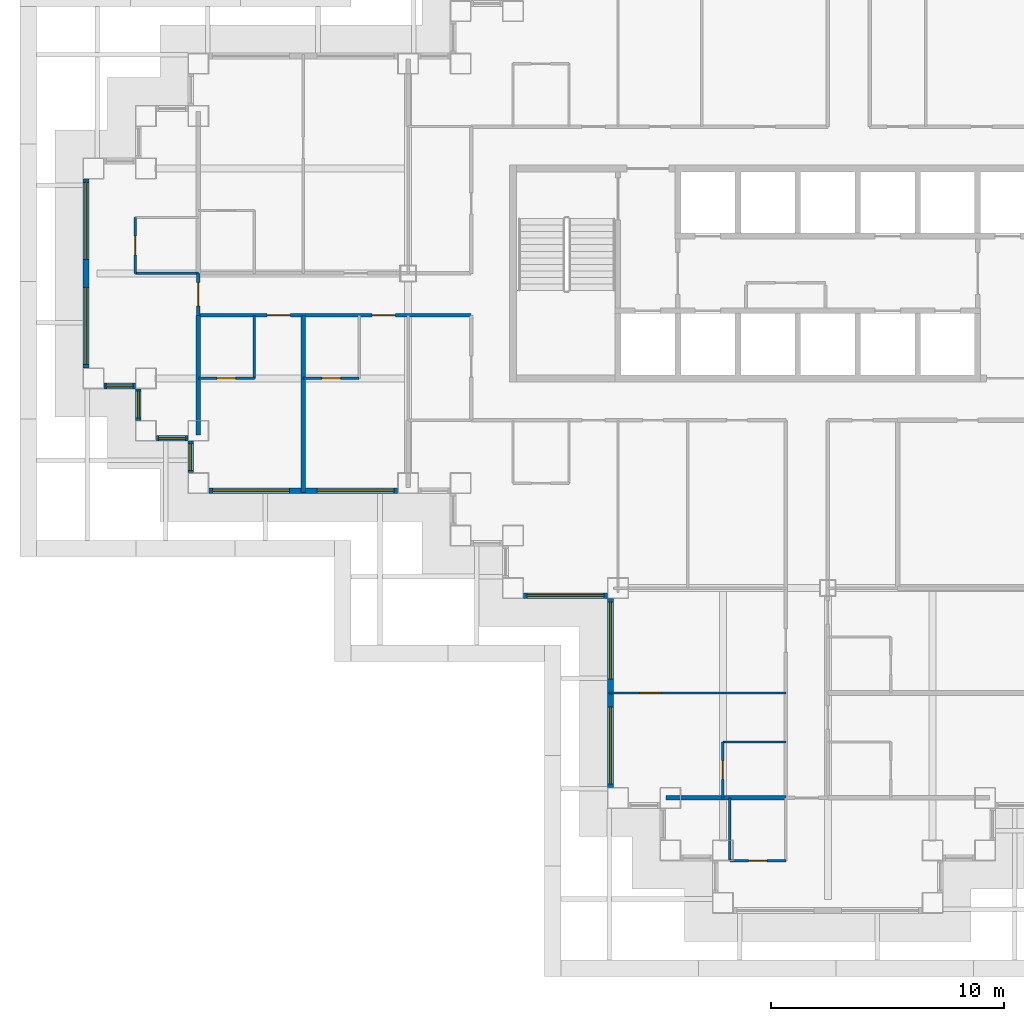
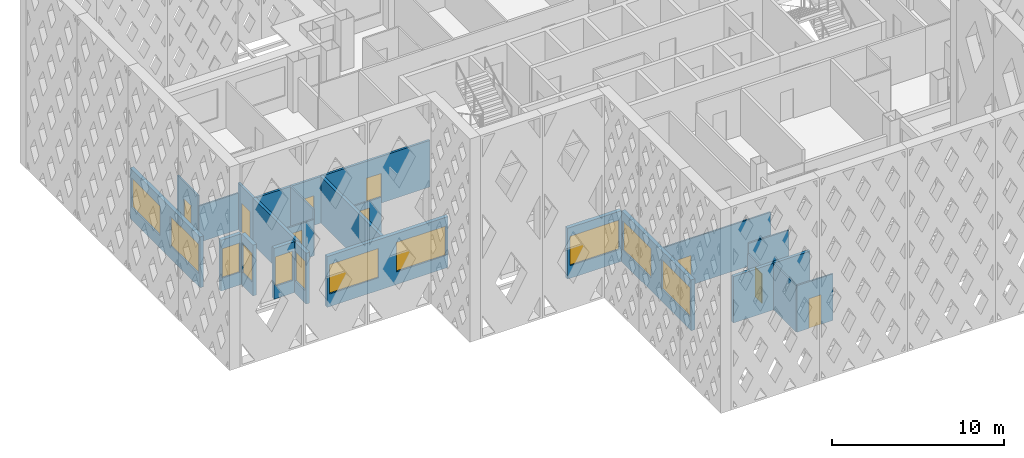
# One storey, part 2 of 21: 23 walls, 11 windows, 9 doors, 20 openings.
"""IFC4 building model written with IfcOpenShell, lengths in metres."""

from ifc_helpers import new_model, si_unit, direction, frame, frame_2d, origin, place, context, subcontext, project, spatial, rectangle, extrude, material, layer, layer_set, type_object, element, fill, save


model = new_model("IFC4")

# Units and contexts
model_context = context("Model", 3, precision=1e-05, world=origin(), true_north=direction((0.0, 1.0)))
body_context = subcontext(model_context, "Body", "Model", "MODEL_VIEW")
ifc_project = project(units=[si_unit("LENGTHUNIT", "METRE"), si_unit("AREAUNIT", "SQUARE_METRE"), si_unit("VOLUMEUNIT", "CUBIC_METRE"), si_unit("PLANEANGLEUNIT", "RADIAN"), si_unit("MASSUNIT", "GRAM", prefix="KILO")], contexts=[model_context])

# Site, building, storey
site_placement = place(None, origin())
site = spatial("IfcSite", under=ifc_project, at=site_placement, CompositionType="ELEMENT")
building_placement = place(site_placement, origin())
building = spatial("IfcBuilding", under=site, at=building_placement, Name="Caravel Reach Hotel and Residences", CompositionType="ELEMENT")
storey_placement = place(building_placement, frame((0.0, 0.0, 100.800048828125)))
storey = spatial("IfcBuildingStorey", under=building, at=storey_placement, Name="L24", CompositionType="ELEMENT", Elevation=100.800048828125)

# Wall, opening, door
ifc_material_1 = material(Name="Gypsum board on steel stud", Category="steel")
ifc_layer_1 = layer(ifc_material_1, 0.10009765625)
ifc_layer_set_1 = layer_set([ifc_layer_1], Name="Bathroom pod wall 100 mm")
wall_type_1 = type_object("IfcWallType", Name="Bathroom pod wall 100 mm", PredefinedType="PARTITIONING", material=ifc_layer_set_1)
wall_1_placement = place(storey_placement, frame((27.300048828125, 1.800048828125, 0.0), z_axis=(0.0, 0.0, 1.0), x_axis=(1.0, 0.0, 0.0)))
wall_1 = element("IfcWall", 1, at=wall_1_placement, inside=storey, type_object=wall_type_1, Name="L24 wall w081", PredefinedType="PARTITIONING", context=body_context, shape_type="SweptSolid", body=[
    extrude(rectangle(XDim=2.39990234375, YDim=0.10009765625, at=frame_2d((1.199951171875, 0.0))), origin(), (0.0, 0.0, 1.0), 3.300048828125),
])
opening_1_placement = place(wall_1_placement, frame((0.800048828125, 0.0, 0.0)))
opening_1 = element("IfcOpeningElement", 2, at=opening_1_placement, cuts=wall_1, Name="Opening D24-044", PredefinedType="OPENING", context=body_context, shape_type="SweptSolid", body=[
    extrude(rectangle(XDim=0.800048828125, YDim=2.10009765625, at=frame_2d((0.39990234375, 1.050048828125))), frame((0.0, 0.06005859375, 0.0), z_axis=(0.0, -1.0, 0.0), x_axis=(1.0, 0.0, 0.0)), (0.0, 0.0, 1.0), 0.1201171875),
])
ifc_material_2 = material(Name="Timber and steel door leaf", Category="steel")
door_type_1 = type_object("IfcDoorType", Name="Bathroom door 800 x 2100", OperationType="SINGLE_SWING_LEFT", PredefinedType="DOOR", material=ifc_material_2)
door_1_placement = place(opening_1_placement, origin())
door_1 = element("IfcDoor", 3, at=door_1_placement, inside=storey, type_object=door_type_1, Name="door D24-044", OperationType="SINGLE_SWING_RIGHT", OverallHeight=2.10009765625, OverallWidth=0.800048828125, PredefinedType="DOOR", context=body_context, shape_type="SweptSolid", body=[
    extrude(rectangle(XDim=0.800048828125, YDim=2.10009765625, at=frame_2d((0.39990234375, 1.050048828125))), frame((0.0, 0.02490234375, 0.0), z_axis=(0.0, -1.0, 0.0), x_axis=(1.0, 0.0, 0.0)), (0.0, 0.0, 1.0), 0.050048828125),
])
fill(opening_1, door_1)

wall_2_placement = place(storey_placement, frame((9.0, 22.5, 0.0), z_axis=(0.0, 0.0, 1.0), x_axis=(1.0, 0.0, 0.0)))
wall_2 = element("IfcWall", 4, at=wall_2_placement, inside=storey, type_object=wall_type_1, Name="L24 wall w085", PredefinedType="PARTITIONING", context=body_context, shape_type="SweptSolid", body=[
    extrude(rectangle(XDim=2.39990234375, YDim=0.10009765625, at=frame_2d((1.199951171875, 0.0))), origin(), (0.0, 0.0, 1.0), 2.579833984375),
])
opening_2_placement = place(wall_2_placement, frame((0.800048828125, 0.0, 0.0)))
opening_2 = element("IfcOpeningElement", 5, at=opening_2_placement, cuts=wall_2, Name="Opening D24-016", PredefinedType="OPENING", context=body_context, shape_type="SweptSolid", body=[
    extrude(rectangle(XDim=0.800048828125, YDim=2.10009765625, at=frame_2d((0.39990234375, 1.050048828125))), frame((0.0, 0.06005859375, 0.0), z_axis=(0.0, -1.0, 0.0), x_axis=(1.0, 0.0, 0.0)), (0.0, 0.0, 1.0), 0.1201171875),
])
door_2_placement = place(opening_2_placement, origin())
door_2 = element("IfcDoor", 6, at=door_2_placement, inside=storey, type_object=door_type_1, Name="door D24-016", OperationType="SINGLE_SWING_LEFT", OverallHeight=2.10009765625, OverallWidth=0.800048828125, PredefinedType="DOOR", context=body_context, shape_type="SweptSolid", body=[
    extrude(rectangle(XDim=0.800048828125, YDim=2.10009765625, at=frame_2d((0.39990234375, 1.050048828125))), frame((0.0, 0.02490234375, 0.0), z_axis=(0.0, -1.0, 0.0), x_axis=(1.0, 0.0, 0.0)), (0.0, 0.0, 1.0), 0.050048828125),
])
fill(opening_2, door_2)

wall_3_placement = place(storey_placement, frame((4.5, 22.5, 0.0), z_axis=(0.0, 0.0, 1.0), x_axis=(1.0, 0.0, 0.0)))
wall_3 = element("IfcWall", 7, at=wall_3_placement, inside=storey, type_object=wall_type_1, Name="L24 wall w086", PredefinedType="PARTITIONING", context=body_context, shape_type="SweptSolid", body=[
    extrude(rectangle(XDim=2.39990234375, YDim=0.10009765625, at=frame_2d((1.199951171875, 0.0))), origin(), (0.0, 0.0, 1.0), 2.579833984375),
])
opening_3_placement = place(wall_3_placement, frame((0.800048828125, 0.0, 0.0)))
opening_3 = element("IfcOpeningElement", 8, at=opening_3_placement, cuts=wall_3, Name="Opening D24-018", PredefinedType="OPENING", context=body_context, shape_type="SweptSolid", body=[
    extrude(rectangle(XDim=0.800048828125, YDim=2.10009765625, at=frame_2d((0.39990234375, 1.050048828125))), frame((0.0, 0.06005859375, 0.0), z_axis=(0.0, -1.0, 0.0), x_axis=(1.0, 0.0, 0.0)), (0.0, 0.0, 1.0), 0.1201171875),
])
door_3_placement = place(opening_3_placement, origin())
door_3 = element("IfcDoor", 9, at=door_3_placement, inside=storey, type_object=door_type_1, Name="door D24-018", OperationType="SINGLE_SWING_RIGHT", OverallHeight=2.10009765625, OverallWidth=0.800048828125, PredefinedType="DOOR", context=body_context, shape_type="SweptSolid", body=[
    extrude(rectangle(XDim=0.800048828125, YDim=2.10009765625, at=frame_2d((0.39990234375, 1.050048828125))), frame((0.0, 0.02490234375, 0.0), z_axis=(0.0, -1.0, 0.0), x_axis=(1.0, 0.0, 0.0)), (0.0, 0.0, 1.0), 0.050048828125),
])
fill(opening_3, door_3)

# Walls
wall_4_placement = place(storey_placement, frame((1.800048828125, 27.0, 0.0), z_axis=(0.0, 0.0, 1.0), x_axis=(1.0, 0.0, 0.0)))
element("IfcWall", 10, at=wall_4_placement, inside=storey, type_object=wall_type_1, Name="L24 wall w088", PredefinedType="PARTITIONING", context=body_context, shape_type="SweptSolid", body=[
    extrude(rectangle(XDim=2.699951171875, YDim=0.10009765625, at=frame_2d((1.35009765625, 0.0))), origin(), (0.0, 0.0, 1.0), 2.579833984375),
])
wall_5_placement = place(storey_placement, frame((27.0, 6.89990234375, 0.0), z_axis=(0.0, 0.0, 1.0), x_axis=(1.0, 0.0, 0.0)))
element("IfcWall", 11, at=wall_5_placement, inside=storey, type_object=wall_type_1, Name="L24 wall w097", PredefinedType="PARTITIONING", context=body_context, shape_type="SweptSolid", body=[
    extrude(rectangle(XDim=2.699951171875, YDim=0.10009765625, at=frame_2d((1.35009765625, 0.0))), origin(), (0.0, 0.0, 1.0), 3.300048828125),
])

# Wall, opening, door
wall_6_placement = place(storey_placement, frame((1.800048828125, 27.0, 0.0), z_axis=(0.0, 0.0, 1.0), x_axis=(0.0, 1.0, 0.0)))
wall_6 = element("IfcWall", 12, at=wall_6_placement, inside=storey, type_object=wall_type_1, Name="L24 wall w098", PredefinedType="PARTITIONING", context=body_context, shape_type="SweptSolid", body=[
    extrude(rectangle(XDim=2.39990234375, YDim=0.10009765625, at=frame_2d((1.199951171875, 0.0))), origin(), (0.0, 0.0, 1.0), 3.300048828125),
])
opening_4_placement = place(wall_6_placement, frame((0.800048828125, 0.0, 0.0)))
opening_4 = element("IfcOpeningElement", 13, at=opening_4_placement, cuts=wall_6, Name="Opening D24-040", PredefinedType="OPENING", context=body_context, shape_type="SweptSolid", body=[
    extrude(rectangle(XDim=0.800048828125, YDim=2.10009765625, at=frame_2d((0.39990234375, 1.050048828125))), frame((0.0, 0.06005859375, 0.0), z_axis=(0.0, -1.0, 0.0), x_axis=(1.0, 0.0, 0.0)), (0.0, 0.0, 1.0), 0.1201171875),
])
door_4_placement = place(opening_4_placement, origin())
door_4 = element("IfcDoor", 14, at=door_4_placement, inside=storey, type_object=door_type_1, Name="door D24-040", OperationType="SINGLE_SWING_RIGHT", OverallHeight=2.10009765625, OverallWidth=0.800048828125, PredefinedType="DOOR", context=body_context, shape_type="SweptSolid", body=[
    extrude(rectangle(XDim=0.800048828125, YDim=2.10009765625, at=frame_2d((0.39990234375, 1.050048828125))), frame((0.0, 0.02490234375, 0.0), z_axis=(0.0, -1.0, 0.0), x_axis=(1.0, 0.0, 0.0)), (0.0, 0.0, 1.0), 0.050048828125),
])
fill(opening_4, door_4)

wall_7_placement = place(storey_placement, frame((27.0, 4.5, 0.0), z_axis=(0.0, 0.0, 1.0), x_axis=(0.0, 1.0, 0.0)))
wall_7 = element("IfcWall", 15, at=wall_7_placement, inside=storey, type_object=wall_type_1, Name="L24 wall w104", PredefinedType="PARTITIONING", context=body_context, shape_type="SweptSolid", body=[
    extrude(rectangle(XDim=2.39990234375, YDim=0.10009765625, at=frame_2d((1.199951171875, 0.0))), origin(), (0.0, 0.0, 1.0), 2.579833984375),
])
opening_5_placement = place(wall_7_placement, frame((0.800048828125, 0.0, 0.0)))
opening_5 = element("IfcOpeningElement", 16, at=opening_5_placement, cuts=wall_7, Name="Opening D24-034", PredefinedType="OPENING", context=body_context, shape_type="SweptSolid", body=[
    extrude(rectangle(XDim=0.800048828125, YDim=2.10009765625, at=frame_2d((0.39990234375, 1.050048828125))), frame((0.0, 0.06005859375, 0.0), z_axis=(0.0, -1.0, 0.0), x_axis=(1.0, 0.0, 0.0)), (0.0, 0.0, 1.0), 0.1201171875),
])
door_5_placement = place(opening_5_placement, origin())
door_5 = element("IfcDoor", 17, at=door_5_placement, inside=storey, type_object=door_type_1, Name="door D24-034", OperationType="SINGLE_SWING_LEFT", OverallHeight=2.10009765625, OverallWidth=0.800048828125, PredefinedType="DOOR", context=body_context, shape_type="SweptSolid", body=[
    extrude(rectangle(XDim=0.800048828125, YDim=2.10009765625, at=frame_2d((0.39990234375, 1.050048828125))), frame((0.0, 0.02490234375, 0.0), z_axis=(0.0, -1.0, 0.0), x_axis=(1.0, 0.0, 0.0)), (0.0, 0.0, 1.0), 0.050048828125),
])
fill(opening_5, door_5)

# Walls
for number, where, z_axis, x_axis, name in (
    (18, (27.300048828125, 1.800048828125, 0.0), (0.0, 0.0, 1.0), (0.0, 1.0, 0.0), "L24 wall w105"),
    (19, (6.89990234375, 22.5, 0.0), (0.0, 0.0, 1.0), (0.0, 1.0, 0.0), "L24 wall w115"),
):
    element("IfcWall", number, at=place(storey_placement, frame(where, z_axis=z_axis, x_axis=x_axis)), inside=storey, type_object=wall_type_1, Name=name, PredefinedType="PARTITIONING", context=body_context, shape_type="SweptSolid", body=[
        extrude(rectangle(XDim=2.699951171875, YDim=0.10009765625, at=frame_2d((1.35009765625, 0.0))), origin(), (0.0, 0.0, 1.0), 3.300048828125),
    ])

# Wall, openings, doors
ifc_material_3 = material(Name="Gypsum board on steel stud, fire-rated", Category="steel")
ifc_layer_2 = layer(ifc_material_3, 0.14990234375)
ifc_layer_set_2 = layer_set([ifc_layer_2], Name="Corridor wall 150 mm EI 60")
wall_type_2 = type_object("IfcWallType", Name="Corridor wall 150 mm EI 60", PredefinedType="PARTITIONING", material=ifc_layer_set_2)
wall_8_placement = place(storey_placement, frame((4.5, 25.199951171875, 0.0), z_axis=(0.0, 0.0, 1.0), x_axis=(1.0, 0.0, 0.0)))
wall_8 = element("IfcWall", 20, at=wall_8_placement, inside=storey, type_object=wall_type_2, Name="L24 wall w007", PredefinedType="PARTITIONING", context=body_context, shape_type="SweptSolid", body=[
    extrude(rectangle(XDim=11.699951171875, YDim=0.14990234375, at=frame_2d((5.85009765625, 0.0))), origin(), (0.0, 0.0, 1.0), 3.300048828125),
])
opening_6_placement = place(wall_8_placement, frame((7.449951171875, 0.0, 0.0)))
opening_6 = element("IfcOpeningElement", 21, at=opening_6_placement, cuts=wall_8, Name="Opening D24-015", PredefinedType="OPENING", context=body_context, shape_type="SweptSolid", body=[
    extrude(rectangle(XDim=1.0, YDim=2.10009765625, at=frame_2d((0.5, 1.050048828125))), frame((0.0, 0.0849609375, 0.0), z_axis=(0.0, -1.0, 0.0), x_axis=(1.0, 0.0, 0.0)), (0.0, 0.0, 1.0), 0.169921875),
])
opening_7_placement = place(wall_8_placement, frame((2.949951171875, 0.0, 0.0)))
opening_7 = element("IfcOpeningElement", 22, at=opening_7_placement, cuts=wall_8, Name="Opening D24-017", PredefinedType="OPENING", context=body_context, shape_type="SweptSolid", body=[
    extrude(rectangle(XDim=1.0, YDim=2.10009765625, at=frame_2d((0.5, 1.050048828125))), frame((0.0, 0.0849609375, 0.0), z_axis=(0.0, -1.0, 0.0), x_axis=(1.0, 0.0, 0.0)), (0.0, 0.0, 1.0), 0.169921875),
])
ifc_material_4 = material(Name="Steel fire door leaf", Category="steel")
door_type_2 = type_object("IfcDoorType", Name="Guest room door 1000 x 2100 EI 30", OperationType="SINGLE_SWING_LEFT", PredefinedType="DOOR", material=ifc_material_4)
door_6_placement = place(opening_6_placement, origin())
door_6 = element("IfcDoor", 23, at=door_6_placement, inside=storey, type_object=door_type_2, Name="door D24-015", OperationType="SINGLE_SWING_RIGHT", OverallHeight=2.10009765625, OverallWidth=1.0, PredefinedType="DOOR", context=body_context, shape_type="SweptSolid", body=[
    extrude(rectangle(XDim=1.0, YDim=2.10009765625, at=frame_2d((0.5, 1.050048828125))), frame((0.0, 0.02490234375, 0.0), z_axis=(0.0, -1.0, 0.0), x_axis=(1.0, 0.0, 0.0)), (0.0, 0.0, 1.0), 0.050048828125),
])
fill(opening_6, door_6)
door_7_placement = place(opening_7_placement, origin())
door_7 = element("IfcDoor", 24, at=door_7_placement, inside=storey, type_object=door_type_2, Name="door D24-017", OperationType="SINGLE_SWING_RIGHT", OverallHeight=2.10009765625, OverallWidth=1.0, PredefinedType="DOOR", context=body_context, shape_type="SweptSolid", body=[
    extrude(rectangle(XDim=1.0, YDim=2.10009765625, at=frame_2d((0.5, 1.050048828125))), frame((0.0, 0.02490234375, 0.0), z_axis=(0.0, -1.0, 0.0), x_axis=(1.0, 0.0, 0.0)), (0.0, 0.0, 1.0), 0.050048828125),
])
fill(opening_7, door_7)

# Wall, opening, door
wall_9_placement = place(storey_placement, frame((4.5, 25.199951171875, 0.0), z_axis=(0.0, 0.0, 1.0), x_axis=(0.0, 1.0, 0.0)))
wall_9 = element("IfcWall", 25, at=wall_9_placement, inside=storey, type_object=wall_type_2, Name="L24 wall w038", PredefinedType="PARTITIONING", context=body_context, shape_type="SweptSolid", body=[
    extrude(rectangle(XDim=1.800048828125, YDim=0.14990234375, at=frame_2d((0.89990234375, 0.0))), origin(), (0.0, 0.0, 1.0), 3.300048828125),
])
opening_8_placement = place(wall_9_placement, frame((0.39990234375, 0.0, 0.0)))
opening_8 = element("IfcOpeningElement", 26, at=opening_8_placement, cuts=wall_9, Name="Opening D24-039", PredefinedType="OPENING", context=body_context, shape_type="SweptSolid", body=[
    extrude(rectangle(XDim=1.0, YDim=2.10009765625, at=frame_2d((0.5, 1.050048828125))), frame((0.0, 0.0849609375, 0.0), z_axis=(0.0, -1.0, 0.0), x_axis=(1.0, 0.0, 0.0)), (0.0, 0.0, 1.0), 0.169921875),
])
door_8_placement = place(opening_8_placement, origin())
door_8 = element("IfcDoor", 27, at=door_8_placement, inside=storey, type_object=door_type_2, Name="door D24-039", OperationType="SINGLE_SWING_LEFT", OverallHeight=2.10009765625, OverallWidth=1.0, PredefinedType="DOOR", context=body_context, shape_type="SweptSolid", body=[
    extrude(rectangle(XDim=1.0, YDim=2.10009765625, at=frame_2d((0.5, 1.050048828125))), frame((0.0, 0.02490234375, 0.0), z_axis=(0.0, -1.0, 0.0), x_axis=(1.0, 0.0, 0.0)), (0.0, 0.0, 1.0), 0.050048828125),
])
fill(opening_8, door_8)

# Wall, openings, windows
ifc_material_5 = material(Name="Insulated rainscreen wall, aluminium cladding", Category="aluminium")
ifc_layer_3 = layer(ifc_material_5, 0.25)
ifc_layer_set_3 = layer_set([ifc_layer_3], Name="EW1 Tower rainscreen wall")
wall_type_3 = type_object("IfcWallType", Name="EW1 Tower rainscreen wall", PredefinedType="SOLIDWALL", material=ifc_layer_set_3)
wall_10_placement = place(storey_placement, frame((-0.324951171875, 31.050048828125, 0.0), z_axis=(0.0, 0.0, 1.0), x_axis=(0.0, -1.0, 0.0)))
wall_10 = element("IfcWall", 28, at=wall_10_placement, inside=storey, type_object=wall_type_3, Name="External wall L24 W50.1", PredefinedType="SOLIDWALL", context=body_context, shape_type="SweptSolid", body=[
    extrude(rectangle(XDim=8.10009765625, YDim=0.25, at=frame_2d((4.050048828125, 0.0))), origin(), (0.0, 0.0, 1.0), 3.599853515625),
])
opening_9_placement = place(wall_10_placement, frame((0.14990234375, 0.0, 0.89990234375)))
opening_9 = element("IfcOpeningElement", 29, at=opening_9_placement, cuts=wall_10, Name="Opening WN4", PredefinedType="OPENING", context=body_context, shape_type="SweptSolid", body=[
    extrude(rectangle(XDim=3.300048828125, YDim=2.080078125, at=frame_2d((1.64990234375, 1.0400390625))), frame((0.0, 0.135009765625, 0.0), z_axis=(0.0, -1.0, 0.0), x_axis=(1.0, 0.0, 0.0)), (0.0, 0.0, 1.0), 0.27001953125),
])
opening_10_placement = place(wall_10_placement, frame((4.64990234375, 0.0, 0.89990234375)))
opening_10 = element("IfcOpeningElement", 30, at=opening_10_placement, cuts=wall_10, Name="Opening WN4", PredefinedType="OPENING", context=body_context, shape_type="SweptSolid", body=[
    extrude(rectangle(XDim=3.300048828125, YDim=2.080078125, at=frame_2d((1.64990234375, 1.0400390625))), frame((0.0, 0.135009765625, 0.0), z_axis=(0.0, -1.0, 0.0), x_axis=(1.0, 0.0, 0.0)), (0.0, 0.0, 1.0), 0.27001953125),
])
ifc_material_6 = material(Name="Dark low-e glazing in black aluminium frame", Category="aluminium")
window_type_1 = type_object("IfcWindowType", Name="Hotel guest room window 3300 x 2080", PartitioningType="SINGLE_PANEL", PredefinedType="WINDOW", material=ifc_material_6)
window_1_placement = place(opening_9_placement, origin())
window_1 = element("IfcWindow", 31, at=window_1_placement, inside=storey, type_object=window_type_1, Name="Window L24 W50.1.1", OverallHeight=2.080078125, OverallWidth=3.300048828125, PartitioningType="SINGLE_PANEL", PredefinedType="WINDOW", context=body_context, shape_type="SweptSolid", body=[
    extrude(rectangle(XDim=3.300048828125, YDim=2.080078125, at=frame_2d((1.64990234375, 1.0400390625))), frame((0.0, 0.030029296875, 0.0), z_axis=(0.0, -1.0, 0.0), x_axis=(1.0, 0.0, 0.0)), (0.0, 0.0, 1.0), 0.06005859375),
])
fill(opening_9, window_1)
window_2_placement = place(opening_10_placement, origin())
window_2 = element("IfcWindow", 32, at=window_2_placement, inside=storey, type_object=window_type_1, Name="Window L24 W50.1.2", OverallHeight=2.080078125, OverallWidth=3.300048828125, PartitioningType="SINGLE_PANEL", PredefinedType="WINDOW", context=body_context, shape_type="SweptSolid", body=[
    extrude(rectangle(XDim=3.300048828125, YDim=2.080078125, at=frame_2d((1.64990234375, 1.0400390625))), frame((0.0, 0.030029296875, 0.0), z_axis=(0.0, -1.0, 0.0), x_axis=(1.0, 0.0, 0.0)), (0.0, 0.0, 1.0), 0.06005859375),
])
fill(opening_10, window_2)

# Wall, opening, window
wall_11_placement = place(storey_placement, frame((0.449951171875, 22.175048828125, 0.0), z_axis=(0.0, 0.0, 1.0), x_axis=(1.0, 0.0, 0.0)))
wall_11 = element("IfcWall", 33, at=wall_11_placement, inside=storey, type_object=wall_type_3, Name="External wall L24 S51.1", PredefinedType="SOLIDWALL", context=body_context, shape_type="SweptSolid", body=[
    extrude(rectangle(XDim=1.35009765625, YDim=0.25, at=frame_2d((0.675048828125, 0.0))), origin(), (0.0, 0.0, 1.0), 3.599853515625),
])
opening_11_placement = place(wall_11_placement, frame((0.10009765625, 0.0, 0.89990234375)))
opening_11 = element("IfcOpeningElement", 34, at=opening_11_placement, cuts=wall_11, Name="Opening WN8", PredefinedType="OPENING", context=body_context, shape_type="SweptSolid", body=[
    extrude(rectangle(XDim=1.14990234375, YDim=2.080078125, at=frame_2d((0.574951171875, 1.0400390625))), frame((0.0, 0.135009765625, 0.0), z_axis=(0.0, -1.0, 0.0), x_axis=(1.0, 0.0, 0.0)), (0.0, 0.0, 1.0), 0.27001953125),
])
ifc_material_7 = material(Name="Dark low-e glazing in black aluminium frame", Category="aluminium")
window_type_2 = type_object("IfcWindowType", Name="Hotel suite corner window 1150 x 2080", PartitioningType="SINGLE_PANEL", PredefinedType="WINDOW", material=ifc_material_7)
window_3_placement = place(opening_11_placement, origin())
window_3 = element("IfcWindow", 35, at=window_3_placement, inside=storey, type_object=window_type_2, Name="Window L24 S51.1.1", OverallHeight=2.080078125, OverallWidth=1.14990234375, PartitioningType="SINGLE_PANEL", PredefinedType="WINDOW", context=body_context, shape_type="SweptSolid", body=[
    extrude(rectangle(XDim=1.14990234375, YDim=2.080078125, at=frame_2d((0.574951171875, 1.0400390625))), frame((0.0, 0.030029296875, 0.0), z_axis=(0.0, -1.0, 0.0), x_axis=(1.0, 0.0, 0.0)), (0.0, 0.0, 1.0), 0.06005859375),
])
fill(opening_11, window_3)

wall_12_placement = place(storey_placement, frame((1.925048828125, 22.050048828125, 0.0), z_axis=(0.0, 0.0, 1.0), x_axis=(0.0, -1.0, 0.0)))
wall_12 = element("IfcWall", 36, at=wall_12_placement, inside=storey, type_object=wall_type_3, Name="External wall L24 W52.1", PredefinedType="SOLIDWALL", context=body_context, shape_type="SweptSolid", body=[
    extrude(rectangle(XDim=1.35009765625, YDim=0.25, at=frame_2d((0.675048828125, 0.0))), origin(), (0.0, 0.0, 1.0), 3.599853515625),
])
opening_12_placement = place(wall_12_placement, frame((0.10009765625, 0.0, 0.89990234375)))
opening_12 = element("IfcOpeningElement", 37, at=opening_12_placement, cuts=wall_12, Name="Opening WN8", PredefinedType="OPENING", context=body_context, shape_type="SweptSolid", body=[
    extrude(rectangle(XDim=1.14990234375, YDim=2.080078125, at=frame_2d((0.574951171875, 1.0400390625))), frame((0.0, 0.135009765625, 0.0), z_axis=(0.0, -1.0, 0.0), x_axis=(1.0, 0.0, 0.0)), (0.0, 0.0, 1.0), 0.27001953125),
])
window_4_placement = place(opening_12_placement, origin())
window_4 = element("IfcWindow", 38, at=window_4_placement, inside=storey, type_object=window_type_2, Name="Window L24 W52.1.1", OverallHeight=2.080078125, OverallWidth=1.14990234375, PartitioningType="SINGLE_PANEL", PredefinedType="WINDOW", context=body_context, shape_type="SweptSolid", body=[
    extrude(rectangle(XDim=1.14990234375, YDim=2.080078125, at=frame_2d((0.574951171875, 1.0400390625))), frame((0.0, 0.030029296875, 0.0), z_axis=(0.0, -1.0, 0.0), x_axis=(1.0, 0.0, 0.0)), (0.0, 0.0, 1.0), 0.06005859375),
])
fill(opening_12, window_4)

wall_13_placement = place(storey_placement, frame((2.699951171875, 19.925048828125, 0.0), z_axis=(0.0, 0.0, 1.0), x_axis=(1.0, 0.0, 0.0)))
wall_13 = element("IfcWall", 39, at=wall_13_placement, inside=storey, type_object=wall_type_3, Name="External wall L24 S53.1", PredefinedType="SOLIDWALL", context=body_context, shape_type="SweptSolid", body=[
    extrude(rectangle(XDim=1.35009765625, YDim=0.25, at=frame_2d((0.675048828125, 0.0))), origin(), (0.0, 0.0, 1.0), 3.599853515625),
])
opening_13_placement = place(wall_13_placement, frame((0.10009765625, 0.0, 0.89990234375)))
opening_13 = element("IfcOpeningElement", 40, at=opening_13_placement, cuts=wall_13, Name="Opening WN8", PredefinedType="OPENING", context=body_context, shape_type="SweptSolid", body=[
    extrude(rectangle(XDim=1.14990234375, YDim=2.080078125, at=frame_2d((0.574951171875, 1.0400390625))), frame((0.0, 0.135009765625, 0.0), z_axis=(0.0, -1.0, 0.0), x_axis=(1.0, 0.0, 0.0)), (0.0, 0.0, 1.0), 0.27001953125),
])
window_5_placement = place(opening_13_placement, origin())
window_5 = element("IfcWindow", 41, at=window_5_placement, inside=storey, type_object=window_type_2, Name="Window L24 S53.1.1", OverallHeight=2.080078125, OverallWidth=1.14990234375, PartitioningType="SINGLE_PANEL", PredefinedType="WINDOW", context=body_context, shape_type="SweptSolid", body=[
    extrude(rectangle(XDim=1.14990234375, YDim=2.080078125, at=frame_2d((0.574951171875, 1.0400390625))), frame((0.0, 0.030029296875, 0.0), z_axis=(0.0, -1.0, 0.0), x_axis=(1.0, 0.0, 0.0)), (0.0, 0.0, 1.0), 0.06005859375),
])
fill(opening_13, window_5)

wall_14_placement = place(storey_placement, frame((4.175048828125, 19.800048828125, 0.0), z_axis=(0.0, 0.0, 1.0), x_axis=(0.0, -1.0, 0.0)))
wall_14 = element("IfcWall", 42, at=wall_14_placement, inside=storey, type_object=wall_type_3, Name="External wall L24 W54.1", PredefinedType="SOLIDWALL", context=body_context, shape_type="SweptSolid", body=[
    extrude(rectangle(XDim=1.35009765625, YDim=0.25, at=frame_2d((0.675048828125, 0.0))), origin(), (0.0, 0.0, 1.0), 3.599853515625),
])
opening_14_placement = place(wall_14_placement, frame((0.10009765625, 0.0, 0.89990234375)))
opening_14 = element("IfcOpeningElement", 43, at=opening_14_placement, cuts=wall_14, Name="Opening WN8", PredefinedType="OPENING", context=body_context, shape_type="SweptSolid", body=[
    extrude(rectangle(XDim=1.14990234375, YDim=2.080078125, at=frame_2d((0.574951171875, 1.0400390625))), frame((0.0, 0.135009765625, 0.0), z_axis=(0.0, -1.0, 0.0), x_axis=(1.0, 0.0, 0.0)), (0.0, 0.0, 1.0), 0.27001953125),
])
window_6_placement = place(opening_14_placement, origin())
window_6 = element("IfcWindow", 44, at=window_6_placement, inside=storey, type_object=window_type_2, Name="Window L24 W54.1.1", OverallHeight=2.080078125, OverallWidth=1.14990234375, PartitioningType="SINGLE_PANEL", PredefinedType="WINDOW", context=body_context, shape_type="SweptSolid", body=[
    extrude(rectangle(XDim=1.14990234375, YDim=2.080078125, at=frame_2d((0.574951171875, 1.0400390625))), frame((0.0, 0.030029296875, 0.0), z_axis=(0.0, -1.0, 0.0), x_axis=(1.0, 0.0, 0.0)), (0.0, 0.0, 1.0), 0.06005859375),
])
fill(opening_14, window_6)

# Wall, openings, windows
wall_15_placement = place(storey_placement, frame((4.949951171875, 17.675048828125, 0.0), z_axis=(0.0, 0.0, 1.0), x_axis=(1.0, 0.0, 0.0)))
wall_15 = element("IfcWall", 45, at=wall_15_placement, inside=storey, type_object=wall_type_3, Name="External wall L24 S55.1", PredefinedType="SOLIDWALL", context=body_context, shape_type="SweptSolid", body=[
    extrude(rectangle(XDim=8.10009765625, YDim=0.25, at=frame_2d((4.050048828125, 0.0))), origin(), (0.0, 0.0, 1.0), 3.599853515625),
])
opening_15_placement = place(wall_15_placement, frame((0.14990234375, 0.0, 0.89990234375)))
opening_15 = element("IfcOpeningElement", 46, at=opening_15_placement, cuts=wall_15, Name="Opening WN4", PredefinedType="OPENING", context=body_context, shape_type="SweptSolid", body=[
    extrude(rectangle(XDim=3.300048828125, YDim=2.080078125, at=frame_2d((1.64990234375, 1.0400390625))), frame((0.0, 0.135009765625, 0.0), z_axis=(0.0, -1.0, 0.0), x_axis=(1.0, 0.0, 0.0)), (0.0, 0.0, 1.0), 0.27001953125),
])
opening_16_placement = place(wall_15_placement, frame((4.64990234375, 0.0, 0.89990234375)))
opening_16 = element("IfcOpeningElement", 47, at=opening_16_placement, cuts=wall_15, Name="Opening WN4", PredefinedType="OPENING", context=body_context, shape_type="SweptSolid", body=[
    extrude(rectangle(XDim=3.300048828125, YDim=2.080078125, at=frame_2d((1.64990234375, 1.0400390625))), frame((0.0, 0.135009765625, 0.0), z_axis=(0.0, -1.0, 0.0), x_axis=(1.0, 0.0, 0.0)), (0.0, 0.0, 1.0), 0.27001953125),
])
window_7_placement = place(opening_15_placement, origin())
window_7 = element("IfcWindow", 48, at=window_7_placement, inside=storey, type_object=window_type_1, Name="Window L24 S55.1.1", OverallHeight=2.080078125, OverallWidth=3.300048828125, PartitioningType="SINGLE_PANEL", PredefinedType="WINDOW", context=body_context, shape_type="SweptSolid", body=[
    extrude(rectangle(XDim=3.300048828125, YDim=2.080078125, at=frame_2d((1.64990234375, 1.0400390625))), frame((0.0, 0.030029296875, 0.0), z_axis=(0.0, -1.0, 0.0), x_axis=(1.0, 0.0, 0.0)), (0.0, 0.0, 1.0), 0.06005859375),
])
fill(opening_15, window_7)
window_8_placement = place(opening_16_placement, origin())
window_8 = element("IfcWindow", 49, at=window_8_placement, inside=storey, type_object=window_type_1, Name="Window L24 S55.1.2", OverallHeight=2.080078125, OverallWidth=3.300048828125, PartitioningType="SINGLE_PANEL", PredefinedType="WINDOW", context=body_context, shape_type="SweptSolid", body=[
    extrude(rectangle(XDim=3.300048828125, YDim=2.080078125, at=frame_2d((1.64990234375, 1.0400390625))), frame((0.0, 0.030029296875, 0.0), z_axis=(0.0, -1.0, 0.0), x_axis=(1.0, 0.0, 0.0)), (0.0, 0.0, 1.0), 0.06005859375),
])
fill(opening_16, window_8)

# Wall, opening, window
wall_16_placement = place(storey_placement, frame((18.449951171875, 13.175048828125, 0.0), z_axis=(0.0, 0.0, 1.0), x_axis=(1.0, 0.0, 0.0)))
wall_16 = element("IfcWall", 50, at=wall_16_placement, inside=storey, type_object=wall_type_3, Name="External wall L24 S59.1", PredefinedType="SOLIDWALL", context=body_context, shape_type="SweptSolid", body=[
    extrude(rectangle(XDim=3.60009765625, YDim=0.25, at=frame_2d((1.800048828125, 0.0))), origin(), (0.0, 0.0, 1.0), 3.599853515625),
])
opening_17_placement = place(wall_16_placement, frame((0.14990234375, 0.0, 0.89990234375)))
opening_17 = element("IfcOpeningElement", 51, at=opening_17_placement, cuts=wall_16, Name="Opening WN4", PredefinedType="OPENING", context=body_context, shape_type="SweptSolid", body=[
    extrude(rectangle(XDim=3.300048828125, YDim=2.080078125, at=frame_2d((1.64990234375, 1.0400390625))), frame((0.0, 0.135009765625, 0.0), z_axis=(0.0, -1.0, 0.0), x_axis=(1.0, 0.0, 0.0)), (0.0, 0.0, 1.0), 0.27001953125),
])
window_9_placement = place(opening_17_placement, origin())
window_9 = element("IfcWindow", 52, at=window_9_placement, inside=storey, type_object=window_type_1, Name="Window L24 S59.1.1", OverallHeight=2.080078125, OverallWidth=3.300048828125, PartitioningType="SINGLE_PANEL", PredefinedType="WINDOW", context=body_context, shape_type="SweptSolid", body=[
    extrude(rectangle(XDim=3.300048828125, YDim=2.080078125, at=frame_2d((1.64990234375, 1.0400390625))), frame((0.0, 0.030029296875, 0.0), z_axis=(0.0, -1.0, 0.0), x_axis=(1.0, 0.0, 0.0)), (0.0, 0.0, 1.0), 0.06005859375),
])
fill(opening_17, window_9)

# Wall, openings, windows
wall_17_placement = place(storey_placement, frame((22.175048828125, 13.050048828125, 0.0), z_axis=(0.0, 0.0, 1.0), x_axis=(0.0, -1.0, 0.0)))
wall_17 = element("IfcWall", 53, at=wall_17_placement, inside=storey, type_object=wall_type_3, Name="External wall L24 W60.1", PredefinedType="SOLIDWALL", context=body_context, shape_type="SweptSolid", body=[
    extrude(rectangle(XDim=8.10009765625, YDim=0.25, at=frame_2d((4.050048828125, 0.0))), origin(), (0.0, 0.0, 1.0), 3.599853515625),
])
opening_18_placement = place(wall_17_placement, frame((0.14990234375, 0.0, 0.89990234375)))
opening_18 = element("IfcOpeningElement", 54, at=opening_18_placement, cuts=wall_17, Name="Opening WN4", PredefinedType="OPENING", context=body_context, shape_type="SweptSolid", body=[
    extrude(rectangle(XDim=3.300048828125, YDim=2.080078125, at=frame_2d((1.64990234375, 1.0400390625))), frame((0.0, 0.135009765625, 0.0), z_axis=(0.0, -1.0, 0.0), x_axis=(1.0, 0.0, 0.0)), (0.0, 0.0, 1.0), 0.27001953125),
])
opening_19_placement = place(wall_17_placement, frame((4.64990234375, 0.0, 0.89990234375)))
opening_19 = element("IfcOpeningElement", 55, at=opening_19_placement, cuts=wall_17, Name="Opening WN4", PredefinedType="OPENING", context=body_context, shape_type="SweptSolid", body=[
    extrude(rectangle(XDim=3.300048828125, YDim=2.080078125, at=frame_2d((1.64990234375, 1.0400390625))), frame((0.0, 0.135009765625, 0.0), z_axis=(0.0, -1.0, 0.0), x_axis=(1.0, 0.0, 0.0)), (0.0, 0.0, 1.0), 0.27001953125),
])
window_10_placement = place(opening_18_placement, origin())
window_10 = element("IfcWindow", 56, at=window_10_placement, inside=storey, type_object=window_type_1, Name="Window L24 W60.1.1", OverallHeight=2.080078125, OverallWidth=3.300048828125, PartitioningType="SINGLE_PANEL", PredefinedType="WINDOW", context=body_context, shape_type="SweptSolid", body=[
    extrude(rectangle(XDim=3.300048828125, YDim=2.080078125, at=frame_2d((1.64990234375, 1.0400390625))), frame((0.0, 0.030029296875, 0.0), z_axis=(0.0, -1.0, 0.0), x_axis=(1.0, 0.0, 0.0)), (0.0, 0.0, 1.0), 0.06005859375),
])
fill(opening_18, window_10)
window_11_placement = place(opening_19_placement, origin())
window_11 = element("IfcWindow", 57, at=window_11_placement, inside=storey, type_object=window_type_1, Name="Window L24 W60.1.2", OverallHeight=2.080078125, OverallWidth=3.300048828125, PartitioningType="SINGLE_PANEL", PredefinedType="WINDOW", context=body_context, shape_type="SweptSolid", body=[
    extrude(rectangle(XDim=3.300048828125, YDim=2.080078125, at=frame_2d((1.64990234375, 1.0400390625))), frame((0.0, 0.030029296875, 0.0), z_axis=(0.0, -1.0, 0.0), x_axis=(1.0, 0.0, 0.0)), (0.0, 0.0, 1.0), 0.06005859375),
])
fill(opening_19, window_11)

# Wall, opening, door
ifc_material_8 = material(Name="Gypsum board on steel stud", Category="steel")
ifc_layer_4 = layer(ifc_material_8, 0.10009765625)
ifc_layer_set_4 = layer_set([ifc_layer_4], Name="Partition 100 mm")
wall_type_4 = type_object("IfcWallType", Name="Partition 100 mm", PredefinedType="PARTITIONING", material=ifc_layer_set_4)
wall_18_placement = place(storey_placement, frame((22.110107421875, 9.0, 0.0), z_axis=(0.0, 0.0, 1.0), x_axis=(1.0, 0.0, 0.0)))
wall_18 = element("IfcWall", 58, at=wall_18_placement, inside=storey, type_object=wall_type_4, Name="L24 wall w055", PredefinedType="PARTITIONING", context=body_context, shape_type="SweptSolid", body=[
    extrude(rectangle(XDim=7.58984375, YDim=0.10009765625, at=frame_2d((3.794921875, 0.0))), origin(), (0.0, 0.0, 1.0), 3.300048828125),
])
opening_20_placement = place(wall_18_placement, frame((1.35009765625, 0.0, 0.0)))
opening_20 = element("IfcOpeningElement", 59, at=opening_20_placement, cuts=wall_18, Name="Opening D24-033", PredefinedType="OPENING", context=body_context, shape_type="SweptSolid", body=[
    extrude(rectangle(XDim=0.89990234375, YDim=2.10009765625, at=frame_2d((0.449951171875, 1.050048828125))), frame((0.0, 0.06005859375, 0.0), z_axis=(0.0, -1.0, 0.0), x_axis=(1.0, 0.0, 0.0)), (0.0, 0.0, 1.0), 0.1201171875),
])
ifc_material_9 = material(Name="Timber and steel door leaf", Category="steel")
door_type_3 = type_object("IfcDoorType", Name="Door 900 x 2100 timber", OperationType="SINGLE_SWING_LEFT", PredefinedType="DOOR", material=ifc_material_9)
door_9_placement = place(opening_20_placement, origin())
door_9 = element("IfcDoor", 60, at=door_9_placement, inside=storey, type_object=door_type_3, Name="door D24-033", OperationType="SINGLE_SWING_LEFT", OverallHeight=2.10009765625, OverallWidth=0.89990234375, PredefinedType="DOOR", context=body_context, shape_type="SweptSolid", body=[
    extrude(rectangle(XDim=0.89990234375, YDim=2.10009765625, at=frame_2d((0.449951171875, 1.050048828125))), frame((0.0, 0.02490234375, 0.0), z_axis=(0.0, -1.0, 0.0), x_axis=(1.0, 0.0, 0.0)), (0.0, 0.0, 1.0), 0.050048828125),
])
fill(opening_20, door_9)

# Walls
ifc_material_10 = material(Name="Autoclaved aerated block wall")
ifc_layer_5 = layer(ifc_material_10, 0.199951171875)
ifc_layer_set_5 = layer_set([ifc_layer_5], Name="Party wall 200 mm EI 60")
wall_type_5 = type_object("IfcWallType", Name="Party wall 200 mm EI 60", PredefinedType="PARTITIONING", material=ifc_layer_set_5)
for number, where, z_axis, x_axis, name in (
    (61, (24.56005859375, 4.5, 0.0), (0.0, 0.0, 1.0), (1.0, 0.0, 0.0), "L24 wall w072"),
    (62, (4.5, 20.06005859375, 0.0), (0.0, 0.0, 1.0), (0.0, 1.0, 0.0), "L24 wall w076"),
):
    element("IfcWall", number, at=place(storey_placement, frame(where, z_axis=z_axis, x_axis=x_axis)), inside=storey, type_object=wall_type_5, Name=name, PredefinedType="PARTITIONING", context=body_context, shape_type="SweptSolid", body=[
        extrude(rectangle(XDim=5.139892578125, YDim=0.199951171875, at=frame_2d((2.56982421875, 0.0))), origin(), (0.0, 0.0, 1.0), 3.300048828125),
    ])
wall_19_placement = place(storey_placement, frame((9.0, 17.610107421875, 0.0), z_axis=(0.0, 0.0, 1.0), x_axis=(0.0, 1.0, 0.0)))
element("IfcWall", 63, at=wall_19_placement, inside=storey, type_object=wall_type_5, Name="L24 wall w080", PredefinedType="PARTITIONING", context=body_context, shape_type="SweptSolid", body=[
    extrude(rectangle(XDim=7.58984375, YDim=0.199951171875, at=frame_2d((3.794921875, 0.0))), origin(), (0.0, 0.0, 1.0), 3.300048828125),
])

save(model, "model.ifc")
